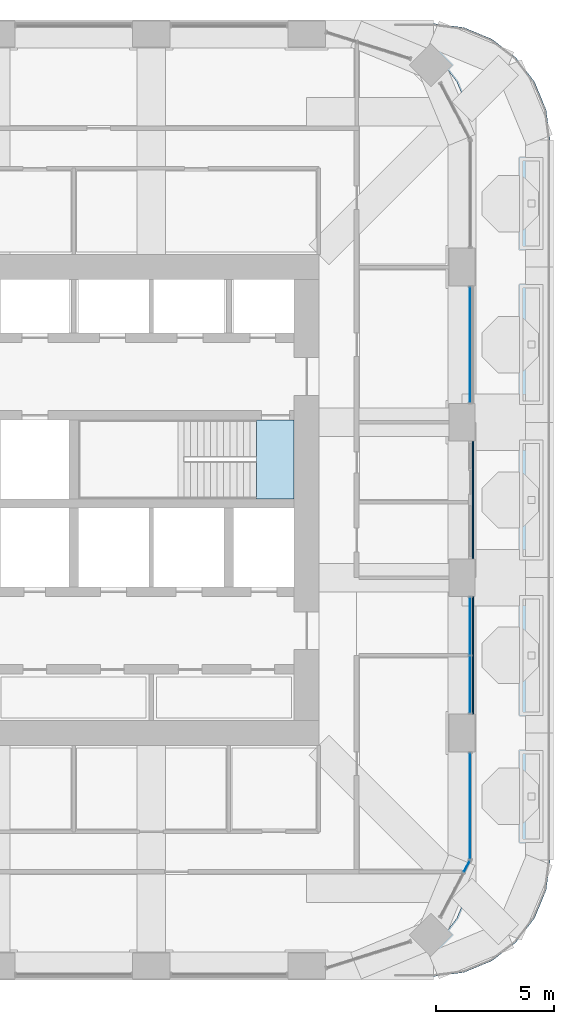
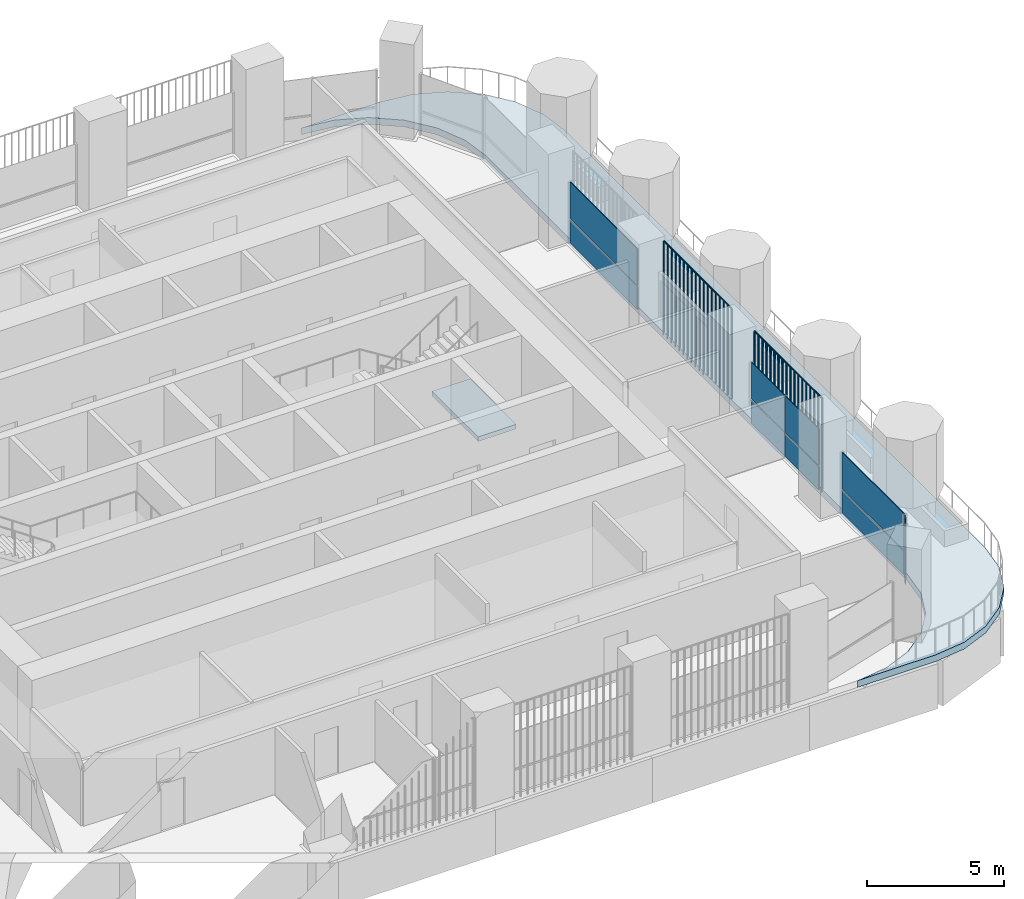
# One storey, part 11 of 24: 12 plates, 2 slabs, 5 elements without a shape of their own.
"""IFC4 building model written with IfcOpenShell, lengths in metres."""

from ifc_helpers import new_model, si_unit, direction, frame, origin, origin_2d, place, context, subcontext, project, spatial, polyline, rectangle, outline, extrude, material, layer, layer_set, type_object, element, aggregate, save


model = new_model("IFC4")

# Units and contexts
model_context = context("Model", 3, precision=1e-05, world=origin(), true_north=direction((0.0, 1.0)))
body_context = subcontext(model_context, "Body", "Model", "MODEL_VIEW")
ifc_project = project(units=[si_unit("LENGTHUNIT", "METRE"), si_unit("AREAUNIT", "SQUARE_METRE"), si_unit("VOLUMEUNIT", "CUBIC_METRE"), si_unit("PLANEANGLEUNIT", "RADIAN"), si_unit("MASSUNIT", "GRAM", prefix="KILO")], contexts=[model_context])

# Site, building, storey
site_placement = place(None, origin())
site = spatial("IfcSite", under=ifc_project, at=site_placement, CompositionType="ELEMENT")
building_placement = place(site_placement, origin())
building = spatial("IfcBuilding", under=site, at=building_placement, Name="Cobogo Forest Laboratory Tower", CompositionType="ELEMENT")
storey_placement = place(building_placement, frame((0.0, 0.0, 229.199951171875)))
storey = spatial("IfcBuildingStorey", under=building, at=storey_placement, Name="L52", CompositionType="ELEMENT", Elevation=229.199951171875)

# Curtain wall, plates
ifc_material_1 = material(Name="Aluminium curtain wall", Category="aluminium")
curtain_wall_type = type_object("IfcCurtainWallType", Name="CW-2 unitised curtain wall, solar control glazing, laboratory floors zones C and D", PredefinedType="USERDEFINED", material=ifc_material_1)
curtain_wall_1_placement = place(storey_placement, origin())
curtain_wall_1 = element("IfcCurtainWall", 1, at=curtain_wall_1_placement, inside=storey, type_object=curtain_wall_type, Name="Curtain wall 06 L52", ObjectType="UNITISED CURTAIN WALL", PredefinedType="USERDEFINED")
ifc_material_2 = material(Name="Solar control insulated glass", Category="glass")
ifc_layer_1 = layer(ifc_material_2, 0.031982421875)
ifc_layer_set_1 = layer_set([ifc_layer_1], Name="GP-2 solar control glass unit 32")
plate_type_1 = type_object("IfcPlateType", Name="GP-2 solar control glass unit 32", PredefinedType="CURTAIN_PANEL", material=ifc_layer_set_1)
plate_1_placement = place(storey_placement, frame((46.40234375, 7.51806640625, 0.0), z_axis=(0.0, 0.0, 1.0), x_axis=(0.464283685186, 0.885686547075, 0.0)))
plate_1 = element("IfcPlate", 2, at=plate_1_placement, type_object=plate_type_1, Name="CW-2 panel 2.1", PredefinedType="CURTAIN_PANEL", context=body_context, shape_type="SweptSolid", body=[
    extrude(rectangle(XDim=0.516357421875, YDim=0.031982421875, at=origin_2d()), origin(), (0.0, 0.0, 1.0), 1.02001953125),
])
plate_2_placement = place(storey_placement, frame((46.40234375, 7.51806640625, 1.080078125), z_axis=(0.0, 0.0, 1.0), x_axis=(0.464283685186, 0.885686547075, 0.0)))
plate_2 = element("IfcPlate", 3, at=plate_2_placement, type_object=plate_type_1, Name="CW-2 panel 2.2", PredefinedType="CURTAIN_PANEL", context=body_context, shape_type="SweptSolid", body=[
    extrude(rectangle(XDim=0.516357421875, YDim=0.031982421875, at=origin_2d()), origin(), (0.0, 0.0, 1.0), 1.6201171875),
])
aggregate(curtain_wall_1, [plate_1, plate_2])

curtain_wall_2_placement = place(storey_placement, origin())
curtain_wall_2 = element("IfcCurtainWall", 4, at=curtain_wall_2_placement, inside=storey, type_object=curtain_wall_type, Name="Curtain wall 07 L52", ObjectType="UNITISED CURTAIN WALL", PredefinedType="USERDEFINED")
plate_3_placement = place(storey_placement, frame((46.550048828125, 10.10009765625, 0.0), z_axis=(0.0, 0.0, 1.0), x_axis=(0.0, 1.0, 0.0)))
plate_3 = element("IfcPlate", 5, at=plate_3_placement, type_object=plate_type_1, Name="CW-2 panel 1.1", PredefinedType="CURTAIN_PANEL", context=body_context, shape_type="SweptSolid", body=[
    extrude(rectangle(XDim=4.47998046875, YDim=0.031982421875, at=origin_2d()), origin(), (0.0, 0.0, 1.0), 1.02001953125),
])
plate_4_placement = place(storey_placement, frame((46.550048828125, 10.10009765625, 1.080078125), z_axis=(0.0, 0.0, 1.0), x_axis=(0.0, 1.0, 0.0)))
plate_4 = element("IfcPlate", 6, at=plate_4_placement, type_object=plate_type_1, Name="CW-2 panel 1.2", PredefinedType="CURTAIN_PANEL", context=body_context, shape_type="SweptSolid", body=[
    extrude(rectangle(XDim=4.47998046875, YDim=0.031982421875, at=origin_2d()), origin(), (0.0, 0.0, 1.0), 1.6201171875),
])
aggregate(curtain_wall_2, [plate_3, plate_4])

curtain_wall_3_placement = place(storey_placement, origin())
curtain_wall_3 = element("IfcCurtainWall", 7, at=curtain_wall_3_placement, inside=storey, type_object=curtain_wall_type, Name="Curtain wall 08 L52", ObjectType="UNITISED CURTAIN WALL", PredefinedType="USERDEFINED")
plate_5_placement = place(storey_placement, frame((46.550048828125, 15.264892578125, 0.0), z_axis=(0.0, 0.0, 1.0), x_axis=(0.0, 1.0, 0.0)))
plate_5 = element("IfcPlate", 8, at=plate_5_placement, type_object=plate_type_1, Name="CW-2 panel 1.1", PredefinedType="CURTAIN_PANEL", context=body_context, shape_type="SweptSolid", body=[
    extrude(rectangle(XDim=2.409912109375, YDim=0.031982421875, at=origin_2d()), origin(), (0.0, 0.0, 1.0), 1.02001953125),
])
plate_6_placement = place(storey_placement, frame((46.550048828125, 15.264892578125, 1.080078125), z_axis=(0.0, 0.0, 1.0), x_axis=(0.0, 1.0, 0.0)))
plate_6 = element("IfcPlate", 9, at=plate_6_placement, type_object=plate_type_1, Name="CW-2 panel 1.2", PredefinedType="CURTAIN_PANEL", context=body_context, shape_type="SweptSolid", body=[
    extrude(rectangle(XDim=2.409912109375, YDim=0.031982421875, at=origin_2d()), origin(), (0.0, 0.0, 1.0), 1.6201171875),
])
plate_7_placement = place(storey_placement, frame((46.550048828125, 17.735107421875, 0.0), z_axis=(0.0, 0.0, 1.0), x_axis=(0.0, 1.0, 0.0)))
plate_7 = element("IfcPlate", 10, at=plate_7_placement, type_object=plate_type_1, Name="CW-2 panel 2.1", PredefinedType="CURTAIN_PANEL", context=body_context, shape_type="SweptSolid", body=[
    extrude(rectangle(XDim=2.409912109375, YDim=0.031982421875, at=origin_2d()), origin(), (0.0, 0.0, 1.0), 1.02001953125),
])
plate_8_placement = place(storey_placement, frame((46.550048828125, 17.735107421875, 1.080078125), z_axis=(0.0, 0.0, 1.0), x_axis=(0.0, 1.0, 0.0)))
plate_8 = element("IfcPlate", 11, at=plate_8_placement, type_object=plate_type_1, Name="CW-2 panel 2.2", PredefinedType="CURTAIN_PANEL", context=body_context, shape_type="SweptSolid", body=[
    extrude(rectangle(XDim=2.409912109375, YDim=0.031982421875, at=origin_2d()), origin(), (0.0, 0.0, 1.0), 1.6201171875),
])
aggregate(curtain_wall_3, [plate_5, plate_6, plate_7, plate_8])

curtain_wall_4_placement = place(storey_placement, origin())
curtain_wall_4 = element("IfcCurtainWall", 12, at=curtain_wall_4_placement, inside=storey, type_object=curtain_wall_type, Name="Curtain wall 10 L52", ObjectType="UNITISED CURTAIN WALL", PredefinedType="USERDEFINED")
plate_9_placement = place(storey_placement, frame((46.550048828125, 29.699951171875, 0.0), z_axis=(0.0, 0.0, 1.0), x_axis=(0.0, 1.0, 0.0)))
plate_9 = element("IfcPlate", 13, at=plate_9_placement, type_object=plate_type_1, Name="CW-2 panel 1.1", PredefinedType="CURTAIN_PANEL", context=body_context, shape_type="SweptSolid", body=[
    extrude(rectangle(XDim=4.8798828125, YDim=0.031982421875, at=origin_2d()), origin(), (0.0, 0.0, 1.0), 1.02001953125),
])
plate_10_placement = place(storey_placement, frame((46.550048828125, 29.699951171875, 1.080078125), z_axis=(0.0, 0.0, 1.0), x_axis=(0.0, 1.0, 0.0)))
plate_10 = element("IfcPlate", 14, at=plate_10_placement, type_object=plate_type_1, Name="CW-2 panel 1.2", PredefinedType="CURTAIN_PANEL", context=body_context, shape_type="SweptSolid", body=[
    extrude(rectangle(XDim=4.8798828125, YDim=0.031982421875, at=origin_2d()), origin(), (0.0, 0.0, 1.0), 1.6201171875),
])
aggregate(curtain_wall_4, [plate_9, plate_10])

# Stair, slab
ifc_material_3 = material(Name="Precast concrete HA-40 (C40/50)", Category="concrete")
stair_type = type_object("IfcStairType", Name="ST24 exit stair 24 risers", PredefinedType="HALF_TURN_STAIR", material=ifc_material_3)
stair_placement = place(storey_placement, origin())
stair = element("IfcStair", 15, at=stair_placement, inside=storey, type_object=stair_type, Name="Stair 2 L52 to L53", PredefinedType="HALF_TURN_STAIR")
ifc_material_4 = material(Name="Concrete HA-40 (C40/50)", Category="concrete")
ifc_layer_2 = layer(ifc_material_4, 0.199951171875)
ifc_layer_set_2 = layer_set([ifc_layer_2], Name="SL stair landing 200")
slab_type_1 = type_object("IfcSlabType", Name="SL stair landing 200", PredefinedType="LANDING", material=ifc_layer_set_2)
slab_1_placement = place(storey_placement, frame((0.0, 0.0, -0.199951171875)))
slab_1 = element("IfcSlab", 16, at=slab_1_placement, type_object=slab_type_1, Name="ST2 landing 1", PredefinedType="LANDING", context=body_context, shape_type="SweptSolid", body=[
    extrude(outline(polyline([(37.472900390625, 23.14990234375), (39.074951171875, 23.14990234375), (39.074951171875, 26.5), (37.472900390625, 26.5), (37.472900390625, 23.14990234375)])), origin(), (0.0, 0.0, 1.0), 0.199951171875),
])
aggregate(stair, [slab_1])

# Plates
ifc_material_5 = material(Name="Terracotta", Category="masonry")
plate_type_2 = type_object("IfcPlateType", Name="TB1 terracotta baguette screen", PredefinedType="USERDEFINED", material=ifc_material_5)
plate_11_placement = place(storey_placement, frame((46.677978515625, 14.03125, -0.14990234375)))
element("IfcPlate", 17, at=plate_11_placement, inside=storey, type_object=plate_type_2, Name="Baguette screen E1 L52", ObjectType="BAGUETTE SCREEN", PredefinedType="USERDEFINED", context=body_context, shape_type="SweptSolid", body=[
    extrude(outline(polyline([(0.02880859375, 0.011962890625), (0.011962890625, 0.02880859375), (-0.011962890625, 0.02880859375), (-0.02880859375, 0.011962890625), (-0.02880859375, -0.011962890625), (-0.011962890625, -0.02880859375), (0.011962890625, -0.02880859375), (0.02880859375, -0.011962890625), (0.02880859375, 0.011962890625)])), frame((0.0, 0.0, 4.168701171875), z_axis=(0.0, 1.0, 0.0), x_axis=(-1.0, 0.0, 0.0)), (0.0, 0.0, 1.0), 4.9375),
    extrude(outline(polyline([(0.02880859375, 0.011962890625), (0.011962890625, 0.02880859375), (-0.011962890625, 0.02880859375), (-0.02880859375, 0.011962890625), (-0.02880859375, -0.011962890625), (-0.011962890625, -0.02880859375), (0.011962890625, -0.02880859375), (0.02880859375, -0.011962890625), (0.02880859375, 0.011962890625)])), origin(), (0.0, 0.0, 1.0), 4.137451171875),
    extrude(outline(polyline([(0.02880859375, 0.011962890625), (0.011962890625, 0.02880859375), (-0.011962890625, 0.02880859375), (-0.02880859375, 0.011962890625), (-0.02880859375, -0.011962890625), (-0.011962890625, -0.02880859375), (0.011962890625, -0.02880859375), (0.02880859375, -0.011962890625), (0.02880859375, 0.011962890625)])), frame((0.0, 0.29052734375, 0.0)), (0.0, 0.0, 1.0), 4.137451171875),
    extrude(outline(polyline([(0.02880859375, 0.011962890625), (0.011962890625, 0.02880859375), (-0.011962890625, 0.02880859375), (-0.02880859375, 0.011962890625), (-0.02880859375, -0.011962890625), (-0.011962890625, -0.02880859375), (0.011962890625, -0.02880859375), (0.02880859375, -0.011962890625), (0.02880859375, 0.011962890625)])), frame((0.0, 0.580810546875, 0.0)), (0.0, 0.0, 1.0), 4.137451171875),
    extrude(outline(polyline([(0.02880859375, 0.011962890625), (0.011962890625, 0.02880859375), (-0.011962890625, 0.02880859375), (-0.02880859375, 0.011962890625), (-0.02880859375, -0.011962890625), (-0.011962890625, -0.02880859375), (0.011962890625, -0.02880859375), (0.02880859375, -0.011962890625), (0.02880859375, 0.011962890625)])), frame((0.0, 0.871337890625, 0.0)), (0.0, 0.0, 1.0), 4.137451171875),
    extrude(outline(polyline([(0.02880859375, 0.011962890625), (0.011962890625, 0.02880859375), (-0.011962890625, 0.02880859375), (-0.02880859375, 0.011962890625), (-0.02880859375, -0.011962890625), (-0.011962890625, -0.02880859375), (0.011962890625, -0.02880859375), (0.02880859375, -0.011962890625), (0.02880859375, 0.011962890625)])), frame((0.0, 1.161865234375, 0.0)), (0.0, 0.0, 1.0), 4.137451171875),
    extrude(outline(polyline([(0.02880859375, 0.011962890625), (0.011962890625, 0.02880859375), (-0.011962890625, 0.02880859375), (-0.02880859375, 0.011962890625), (-0.02880859375, -0.011962890625), (-0.011962890625, -0.02880859375), (0.011962890625, -0.02880859375), (0.02880859375, -0.011962890625), (0.02880859375, 0.011962890625)])), frame((0.0, 1.4521484375, 0.0)), (0.0, 0.0, 1.0), 4.137451171875),
    extrude(outline(polyline([(0.02880859375, 0.011962890625), (0.011962890625, 0.02880859375), (-0.011962890625, 0.02880859375), (-0.02880859375, 0.011962890625), (-0.02880859375, -0.011962890625), (-0.011962890625, -0.02880859375), (0.011962890625, -0.02880859375), (0.02880859375, -0.011962890625), (0.02880859375, 0.011962890625)])), frame((0.0, 1.74267578125, 0.0)), (0.0, 0.0, 1.0), 4.137451171875),
    extrude(outline(polyline([(0.02880859375, 0.011962890625), (0.011962890625, 0.02880859375), (-0.011962890625, 0.02880859375), (-0.02880859375, 0.011962890625), (-0.02880859375, -0.011962890625), (-0.011962890625, -0.02880859375), (0.011962890625, -0.02880859375), (0.02880859375, -0.011962890625), (0.02880859375, 0.011962890625)])), frame((0.0, 2.033203125, 0.0)), (0.0, 0.0, 1.0), 4.137451171875),
    extrude(outline(polyline([(0.02880859375, 0.011962890625), (0.011962890625, 0.02880859375), (-0.011962890625, 0.02880859375), (-0.02880859375, 0.011962890625), (-0.02880859375, -0.011962890625), (-0.011962890625, -0.02880859375), (0.011962890625, -0.02880859375), (0.02880859375, -0.011962890625), (0.02880859375, 0.011962890625)])), frame((0.0, 2.323486328125, 0.0)), (0.0, 0.0, 1.0), 4.137451171875),
    extrude(outline(polyline([(0.02880859375, 0.011962890625), (0.011962890625, 0.02880859375), (-0.011962890625, 0.02880859375), (-0.02880859375, 0.011962890625), (-0.02880859375, -0.011962890625), (-0.011962890625, -0.02880859375), (0.011962890625, -0.02880859375), (0.02880859375, -0.011962890625), (0.02880859375, 0.011962890625)])), frame((0.0, 2.614013671875, 0.0)), (0.0, 0.0, 1.0), 4.137451171875),
    extrude(outline(polyline([(0.02880859375, 0.011962890625), (0.011962890625, 0.02880859375), (-0.011962890625, 0.02880859375), (-0.02880859375, 0.011962890625), (-0.02880859375, -0.011962890625), (-0.011962890625, -0.02880859375), (0.011962890625, -0.02880859375), (0.02880859375, -0.011962890625), (0.02880859375, 0.011962890625)])), frame((0.0, 2.904296875, 0.0)), (0.0, 0.0, 1.0), 4.137451171875),
    extrude(outline(polyline([(0.02880859375, 0.011962890625), (0.011962890625, 0.02880859375), (-0.011962890625, 0.02880859375), (-0.02880859375, 0.011962890625), (-0.02880859375, -0.011962890625), (-0.011962890625, -0.02880859375), (0.011962890625, -0.02880859375), (0.02880859375, -0.011962890625), (0.02880859375, 0.011962890625)])), frame((0.0, 3.19482421875, 0.0)), (0.0, 0.0, 1.0), 4.137451171875),
    extrude(outline(polyline([(0.02880859375, 0.011962890625), (0.011962890625, 0.02880859375), (-0.011962890625, 0.02880859375), (-0.02880859375, 0.011962890625), (-0.02880859375, -0.011962890625), (-0.011962890625, -0.02880859375), (0.011962890625, -0.02880859375), (0.02880859375, -0.011962890625), (0.02880859375, 0.011962890625)])), frame((0.0, 3.4853515625, 0.0)), (0.0, 0.0, 1.0), 4.137451171875),
    extrude(outline(polyline([(0.02880859375, 0.011962890625), (0.011962890625, 0.02880859375), (-0.011962890625, 0.02880859375), (-0.02880859375, 0.011962890625), (-0.02880859375, -0.011962890625), (-0.011962890625, -0.02880859375), (0.011962890625, -0.02880859375), (0.02880859375, -0.011962890625), (0.02880859375, 0.011962890625)])), frame((0.0, 3.775634765625, 0.0)), (0.0, 0.0, 1.0), 4.137451171875),
    extrude(outline(polyline([(0.02880859375, 0.011962890625), (0.011962890625, 0.02880859375), (-0.011962890625, 0.02880859375), (-0.02880859375, 0.011962890625), (-0.02880859375, -0.011962890625), (-0.011962890625, -0.02880859375), (0.011962890625, -0.02880859375), (0.02880859375, -0.011962890625), (0.02880859375, 0.011962890625)])), frame((0.0, 4.066162109375, 0.0)), (0.0, 0.0, 1.0), 4.137451171875),
    extrude(outline(polyline([(0.02880859375, 0.011962890625), (0.011962890625, 0.02880859375), (-0.011962890625, 0.02880859375), (-0.02880859375, 0.011962890625), (-0.02880859375, -0.011962890625), (-0.011962890625, -0.02880859375), (0.011962890625, -0.02880859375), (0.02880859375, -0.011962890625), (0.02880859375, 0.011962890625)])), frame((0.0, 4.356689453125, 0.0)), (0.0, 0.0, 1.0), 4.137451171875),
    extrude(outline(polyline([(0.02880859375, 0.011962890625), (0.011962890625, 0.02880859375), (-0.011962890625, 0.02880859375), (-0.02880859375, 0.011962890625), (-0.02880859375, -0.011962890625), (-0.011962890625, -0.02880859375), (0.011962890625, -0.02880859375), (0.02880859375, -0.011962890625), (0.02880859375, 0.011962890625)])), frame((0.0, 4.64697265625, 0.0)), (0.0, 0.0, 1.0), 4.137451171875),
    extrude(outline(polyline([(0.02880859375, 0.011962890625), (0.011962890625, 0.02880859375), (-0.011962890625, 0.02880859375), (-0.02880859375, 0.011962890625), (-0.02880859375, -0.011962890625), (-0.011962890625, -0.02880859375), (0.011962890625, -0.02880859375), (0.02880859375, -0.011962890625), (0.02880859375, 0.011962890625)])), frame((0.0, 4.9375, 0.0)), (0.0, 0.0, 1.0), 4.137451171875),
])
plate_12_placement = place(storey_placement, frame((46.677978515625, 20.63134765625, -0.14990234375)))
element("IfcPlate", 18, at=plate_12_placement, inside=storey, type_object=plate_type_2, Name="Baguette screen E2 L52", ObjectType="BAGUETTE SCREEN", PredefinedType="USERDEFINED", context=body_context, shape_type="SweptSolid", body=[
    extrude(outline(polyline([(0.02880859375, 0.011962890625), (0.011962890625, 0.02880859375), (-0.011962890625, 0.02880859375), (-0.02880859375, 0.011962890625), (-0.02880859375, -0.011962890625), (-0.011962890625, -0.02880859375), (0.011962890625, -0.02880859375), (0.02880859375, -0.011962890625), (0.02880859375, 0.011962890625)])), frame((0.0, 0.0, 4.168701171875), z_axis=(0.0, 1.0, 0.0), x_axis=(-1.0, 0.0, 0.0)), (0.0, 0.0, 1.0), 4.9375),
    extrude(outline(polyline([(0.02880859375, 0.011962890625), (0.011962890625, 0.02880859375), (-0.011962890625, 0.02880859375), (-0.02880859375, 0.011962890625), (-0.02880859375, -0.011962890625), (-0.011962890625, -0.02880859375), (0.011962890625, -0.02880859375), (0.02880859375, -0.011962890625), (0.02880859375, 0.011962890625)])), origin(), (0.0, 0.0, 1.0), 4.137451171875),
    extrude(outline(polyline([(0.02880859375, 0.011962890625), (0.011962890625, 0.02880859375), (-0.011962890625, 0.02880859375), (-0.02880859375, 0.011962890625), (-0.02880859375, -0.011962890625), (-0.011962890625, -0.02880859375), (0.011962890625, -0.02880859375), (0.02880859375, -0.011962890625), (0.02880859375, 0.011962890625)])), frame((0.0, 0.29052734375, 0.0)), (0.0, 0.0, 1.0), 4.137451171875),
    extrude(outline(polyline([(0.02880859375, 0.011962890625), (0.011962890625, 0.02880859375), (-0.011962890625, 0.02880859375), (-0.02880859375, 0.011962890625), (-0.02880859375, -0.011962890625), (-0.011962890625, -0.02880859375), (0.011962890625, -0.02880859375), (0.02880859375, -0.011962890625), (0.02880859375, 0.011962890625)])), frame((0.0, 0.580810546875, 0.0)), (0.0, 0.0, 1.0), 4.137451171875),
    extrude(outline(polyline([(0.02880859375, 0.011962890625), (0.011962890625, 0.02880859375), (-0.011962890625, 0.02880859375), (-0.02880859375, 0.011962890625), (-0.02880859375, -0.011962890625), (-0.011962890625, -0.02880859375), (0.011962890625, -0.02880859375), (0.02880859375, -0.011962890625), (0.02880859375, 0.011962890625)])), frame((0.0, 0.871337890625, 0.0)), (0.0, 0.0, 1.0), 4.137451171875),
    extrude(outline(polyline([(0.02880859375, 0.011962890625), (0.011962890625, 0.02880859375), (-0.011962890625, 0.02880859375), (-0.02880859375, 0.011962890625), (-0.02880859375, -0.011962890625), (-0.011962890625, -0.02880859375), (0.011962890625, -0.02880859375), (0.02880859375, -0.011962890625), (0.02880859375, 0.011962890625)])), frame((0.0, 1.161865234375, 0.0)), (0.0, 0.0, 1.0), 4.137451171875),
    extrude(outline(polyline([(0.02880859375, 0.011962890625), (0.011962890625, 0.02880859375), (-0.011962890625, 0.02880859375), (-0.02880859375, 0.011962890625), (-0.02880859375, -0.011962890625), (-0.011962890625, -0.02880859375), (0.011962890625, -0.02880859375), (0.02880859375, -0.011962890625), (0.02880859375, 0.011962890625)])), frame((0.0, 1.4521484375, 0.0)), (0.0, 0.0, 1.0), 4.137451171875),
    extrude(outline(polyline([(0.02880859375, 0.011962890625), (0.011962890625, 0.02880859375), (-0.011962890625, 0.02880859375), (-0.02880859375, 0.011962890625), (-0.02880859375, -0.011962890625), (-0.011962890625, -0.02880859375), (0.011962890625, -0.02880859375), (0.02880859375, -0.011962890625), (0.02880859375, 0.011962890625)])), frame((0.0, 1.74267578125, 0.0)), (0.0, 0.0, 1.0), 4.137451171875),
    extrude(outline(polyline([(0.02880859375, 0.011962890625), (0.011962890625, 0.02880859375), (-0.011962890625, 0.02880859375), (-0.02880859375, 0.011962890625), (-0.02880859375, -0.011962890625), (-0.011962890625, -0.02880859375), (0.011962890625, -0.02880859375), (0.02880859375, -0.011962890625), (0.02880859375, 0.011962890625)])), frame((0.0, 2.033203125, 0.0)), (0.0, 0.0, 1.0), 4.137451171875),
    extrude(outline(polyline([(0.02880859375, 0.011962890625), (0.011962890625, 0.02880859375), (-0.011962890625, 0.02880859375), (-0.02880859375, 0.011962890625), (-0.02880859375, -0.011962890625), (-0.011962890625, -0.02880859375), (0.011962890625, -0.02880859375), (0.02880859375, -0.011962890625), (0.02880859375, 0.011962890625)])), frame((0.0, 2.323486328125, 0.0)), (0.0, 0.0, 1.0), 4.137451171875),
    extrude(outline(polyline([(0.02880859375, 0.011962890625), (0.011962890625, 0.02880859375), (-0.011962890625, 0.02880859375), (-0.02880859375, 0.011962890625), (-0.02880859375, -0.011962890625), (-0.011962890625, -0.02880859375), (0.011962890625, -0.02880859375), (0.02880859375, -0.011962890625), (0.02880859375, 0.011962890625)])), frame((0.0, 2.614013671875, 0.0)), (0.0, 0.0, 1.0), 4.137451171875),
    extrude(outline(polyline([(0.02880859375, 0.011962890625), (0.011962890625, 0.02880859375), (-0.011962890625, 0.02880859375), (-0.02880859375, 0.011962890625), (-0.02880859375, -0.011962890625), (-0.011962890625, -0.02880859375), (0.011962890625, -0.02880859375), (0.02880859375, -0.011962890625), (0.02880859375, 0.011962890625)])), frame((0.0, 2.904296875, 0.0)), (0.0, 0.0, 1.0), 4.137451171875),
    extrude(outline(polyline([(0.02880859375, 0.011962890625), (0.011962890625, 0.02880859375), (-0.011962890625, 0.02880859375), (-0.02880859375, 0.011962890625), (-0.02880859375, -0.011962890625), (-0.011962890625, -0.02880859375), (0.011962890625, -0.02880859375), (0.02880859375, -0.011962890625), (0.02880859375, 0.011962890625)])), frame((0.0, 3.19482421875, 0.0)), (0.0, 0.0, 1.0), 4.137451171875),
    extrude(outline(polyline([(0.02880859375, 0.011962890625), (0.011962890625, 0.02880859375), (-0.011962890625, 0.02880859375), (-0.02880859375, 0.011962890625), (-0.02880859375, -0.011962890625), (-0.011962890625, -0.02880859375), (0.011962890625, -0.02880859375), (0.02880859375, -0.011962890625), (0.02880859375, 0.011962890625)])), frame((0.0, 3.4853515625, 0.0)), (0.0, 0.0, 1.0), 4.137451171875),
    extrude(outline(polyline([(0.02880859375, 0.011962890625), (0.011962890625, 0.02880859375), (-0.011962890625, 0.02880859375), (-0.02880859375, 0.011962890625), (-0.02880859375, -0.011962890625), (-0.011962890625, -0.02880859375), (0.011962890625, -0.02880859375), (0.02880859375, -0.011962890625), (0.02880859375, 0.011962890625)])), frame((0.0, 3.775634765625, 0.0)), (0.0, 0.0, 1.0), 4.137451171875),
    extrude(outline(polyline([(0.02880859375, 0.011962890625), (0.011962890625, 0.02880859375), (-0.011962890625, 0.02880859375), (-0.02880859375, 0.011962890625), (-0.02880859375, -0.011962890625), (-0.011962890625, -0.02880859375), (0.011962890625, -0.02880859375), (0.02880859375, -0.011962890625), (0.02880859375, 0.011962890625)])), frame((0.0, 4.066162109375, 0.0)), (0.0, 0.0, 1.0), 4.137451171875),
    extrude(outline(polyline([(0.02880859375, 0.011962890625), (0.011962890625, 0.02880859375), (-0.011962890625, 0.02880859375), (-0.02880859375, 0.011962890625), (-0.02880859375, -0.011962890625), (-0.011962890625, -0.02880859375), (0.011962890625, -0.02880859375), (0.02880859375, -0.011962890625), (0.02880859375, 0.011962890625)])), frame((0.0, 4.356689453125, 0.0)), (0.0, 0.0, 1.0), 4.137451171875),
    extrude(outline(polyline([(0.02880859375, 0.011962890625), (0.011962890625, 0.02880859375), (-0.011962890625, 0.02880859375), (-0.02880859375, 0.011962890625), (-0.02880859375, -0.011962890625), (-0.011962890625, -0.02880859375), (0.011962890625, -0.02880859375), (0.02880859375, -0.011962890625), (0.02880859375, 0.011962890625)])), frame((0.0, 4.64697265625, 0.0)), (0.0, 0.0, 1.0), 4.137451171875),
    extrude(outline(polyline([(0.02880859375, 0.011962890625), (0.011962890625, 0.02880859375), (-0.011962890625, 0.02880859375), (-0.02880859375, 0.011962890625), (-0.02880859375, -0.011962890625), (-0.011962890625, -0.02880859375), (0.011962890625, -0.02880859375), (0.02880859375, -0.011962890625), (0.02880859375, 0.011962890625)])), frame((0.0, 4.9375, 0.0)), (0.0, 0.0, 1.0), 4.137451171875),
])

# Slab
ifc_layer_3 = layer(ifc_material_4, 0.300048828125)
ifc_layer_set_3 = layer_set([ifc_layer_3], Name="Terrace slab 300")
slab_type_2 = type_object("IfcSlabType", Name="Terrace slab 300", PredefinedType="FLOOR", material=ifc_layer_set_3)
slab_2_placement = place(storey_placement, frame((0.0, 0.0, -0.300048828125)))
element("IfcSlab", 19, at=slab_2_placement, inside=storey, type_object=slab_type_2, Name="Setback terrace E L52", PredefinedType="FLOOR", context=body_context, shape_type="SweptSolid", body=[
    extrude(outline(polyline([(45.0, 43.35009765625), (41.699951171875, 43.35009765625), (42.981201171875, 43.181396484375), (44.175048828125, 42.686767578125), (45.2001953125, 41.900146484375), (45.98681640625, 40.875), (46.4814453125, 39.68115234375), (46.64990234375, 38.39990234375), (46.64990234375, 7.800048828125), (46.4814453125, 6.518798828125), (45.98681640625, 5.324951171875), (45.2001953125, 4.2998046875), (44.175048828125, 3.51318359375), (42.981201171875, 3.0185546875), (41.699951171875, 2.85009765625), (45.0, 2.85009765625), (46.28125, 3.0185546875), (47.47509765625, 3.51318359375), (48.500244140625, 4.2998046875), (49.286865234375, 5.324951171875), (49.78125, 6.518798828125), (49.949951171875, 7.800048828125), (49.949951171875, 38.39990234375), (49.78125, 39.68115234375), (49.286865234375, 40.875), (48.500244140625, 41.900146484375), (47.47509765625, 42.686767578125), (46.28125, 43.181396484375), (45.0, 43.35009765625)])), origin(), (0.0, 0.0, 1.0), 0.300048828125),
])

save(model, "model.ifc")
